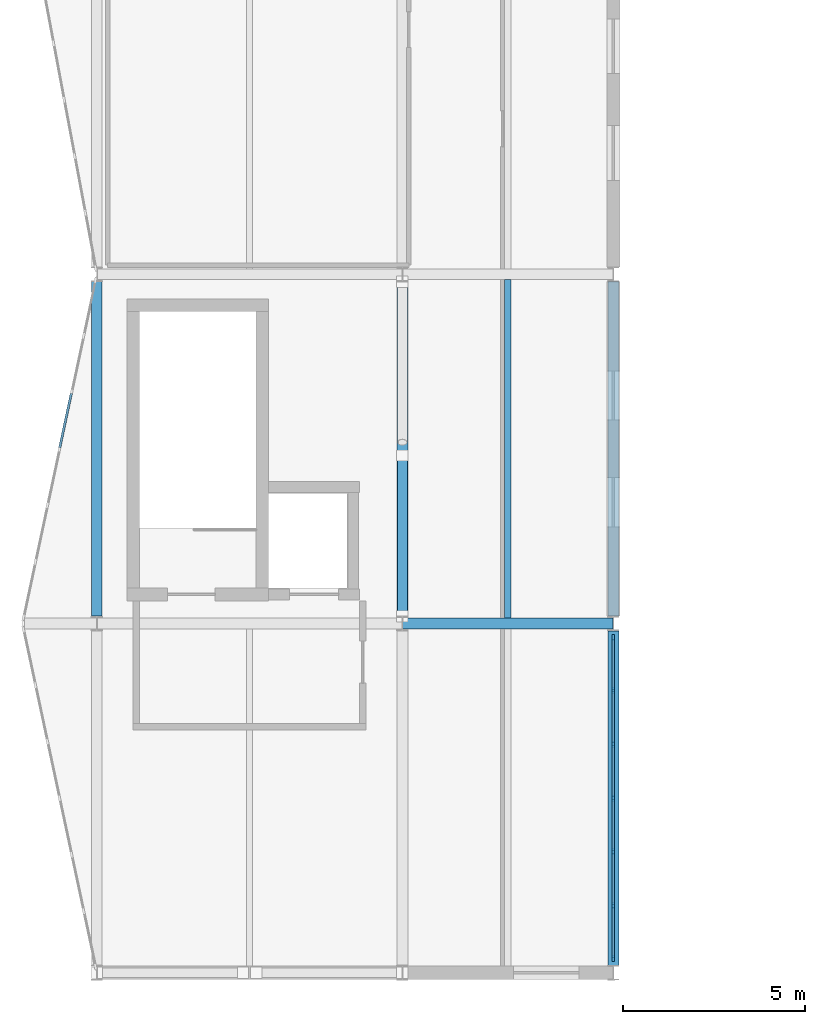
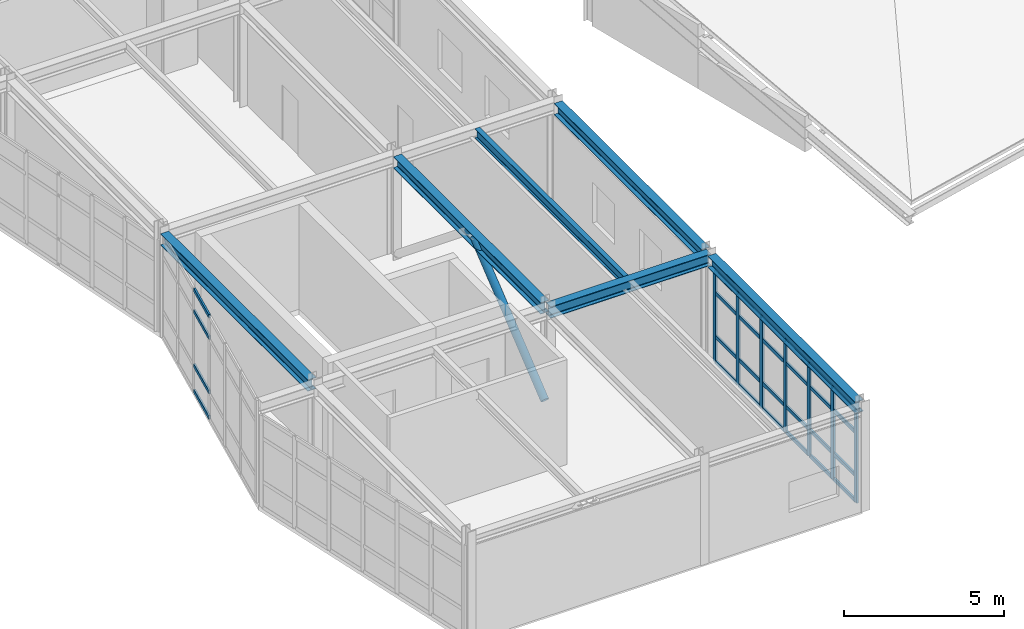
# One storey, part 7 of 47: 36 members, 6 beams, 2 elements without a shape of their own.
"""IFC4 building model written with IfcOpenShell, lengths in metres."""

from ifc_helpers import new_model, si_unit, direction, frame, origin, origin_2d, place, context, subcontext, project, spatial, rectangle, hollow_circle, i_section, extrude, material, layer, layer_set, material_profile, profile_set, type_object, element, aggregate, save


model = new_model("IFC4")

# Units and contexts
model_context = context("Model", 3, precision=1e-05, world=origin(), true_north=direction((0.0, 1.0)))
body_context = subcontext(model_context, "Body", "Model", "MODEL_VIEW")
ifc_project = project(units=[si_unit("LENGTHUNIT", "METRE"), si_unit("AREAUNIT", "SQUARE_METRE"), si_unit("VOLUMEUNIT", "CUBIC_METRE"), si_unit("PLANEANGLEUNIT", "RADIAN"), si_unit("MASSUNIT", "GRAM", prefix="KILO")], contexts=[model_context])

# Site, building, storey
site_placement = place(None, origin())
site = spatial("IfcSite", under=ifc_project, at=site_placement, CompositionType="ELEMENT")
building_placement = place(site_placement, origin())
building = spatial("IfcBuilding", under=site, at=building_placement, Name="Nordkorset Police Headquarters", CompositionType="ELEMENT")
storey_placement = place(building_placement, frame((0.0, 0.0, 22.050048828125)))
storey = spatial("IfcBuildingStorey", under=building, at=storey_placement, Name="L05", CompositionType="ELEMENT", Elevation=22.050048828125)

# Beam
ifc_material_1 = material(Name="Steel S355J2", Category="steel")
ifc_material_profile_1 = material_profile(ifc_material_1, i_section(OverallWidth=0.169921875, OverallDepth=0.360107421875, WebThickness=0.008056640625, FlangeThickness=0.0126953125, FilletRadius=0.01806640625, at=origin_2d()), Name="IPE 360")
ifc_profile_set_1 = profile_set([ifc_material_profile_1], Name="Steel S355J2")
beam_type_1 = type_object("IfcBeamType", Name="Beam_IPE_360", PredefinedType="BEAM", material=ifc_profile_set_1)
beam_1_placement = place(storey_placement, frame((11.300048828125, 38.550048828125, 3.784912109375), z_axis=(0.0, 1.0, 0.0), x_axis=(-1.0, 0.0, 0.0)))
element("IfcBeam", 1, at=beam_1_placement, inside=storey, type_object=beam_type_1, Name="Composite Floor Beam V3 L05 1-1-1", PredefinedType="BEAM", context=body_context, shape_type="SweptSolid", body=[
    extrude(i_section(OverallWidth=0.169921875, OverallDepth=0.360107421875, WebThickness=0.008056640625, FlangeThickness=0.0126953125, FilletRadius=0.01806640625, at=origin_2d()), origin(), (0.0, 0.0, 1.0), 9.300048828125),
])

# Member
ifc_material_2 = material(Name="Steel S355J2", Category="steel")
ifc_material_profile_2 = material_profile(ifc_material_2, hollow_circle(Radius=0.136474609375, WallThickness=0.012451171875, at=origin_2d()), Name="CHS 273x12.5")
ifc_profile_set_2 = profile_set([ifc_material_profile_2], Name="Steel S355J2")
member_type_1 = type_object("IfcMemberType", Name="Brace_CHS_273x12.5", PredefinedType="BRACE", material=ifc_profile_set_2)
member_1_placement = place(storey_placement, frame((8.39990234375, 38.60009765625, 0.199951171875), z_axis=(0.0, 0.77706891688, 0.629415521273), x_axis=(-1.0, 0.0, 0.0)))
element("IfcMember", 2, at=member_1_placement, inside=storey, type_object=member_type_1, Name="Lateral Chevron Brace BF-V3-A L05 D1", PredefinedType="BRACE", context=body_context, shape_type="SweptSolid", body=[
    extrude(hollow_circle(Radius=0.136474609375, WallThickness=0.012451171875, at=origin_2d()), origin(), (0.0, 0.0, 1.0), 5.68798828125),
])

# Curtain wall, members
ifc_material_3 = material(Name="Aluminium alloy AW-6060", Category="aluminium")
ifc_layer_1 = layer(ifc_material_3, 0.179931640625, Name="Aluminium alloy AW-6060")
ifc_layer_set_1 = layer_set([ifc_layer_1], Name="Aluminium alloy AW-6060")
curtain_wall_type_1 = type_object("IfcCurtainWallType", Name="CW_Unit_888x350", PredefinedType="USERDEFINED", material=ifc_layer_set_1)
curtain_wall_1_placement = place(storey_placement, origin())
curtain_wall_1 = element("IfcCurtainWall", 3, at=curtain_wall_1_placement, inside=storey, type_object=curtain_wall_type_1, Name="Unitised Curtain Wall L05 V3E-0", ObjectType="UNITISED CURTAIN WALL", PredefinedType="USERDEFINED")
ifc_material_4 = material(Name="Aluminium alloy AW-6060", Category="aluminium")
ifc_material_profile_3 = material_profile(ifc_material_4, rectangle(XDim=0.06494140625, YDim=0.179931640625, at=origin_2d()), Name="ALU MULL 65x180")
ifc_profile_set_3 = profile_set([ifc_material_profile_3], Name="Aluminium alloy AW-6060")
member_type_2 = type_object("IfcMemberType", Name="CW_Mullion_65x180", PredefinedType="MULLION", material=ifc_profile_set_3)
member_2_placement = place(storey_placement, frame((14.199951171875, 29.1923828125, 0.0), z_axis=(0.0, 0.0, 1.0), x_axis=(-1.0, 0.0, 0.0)))
member_2 = element("IfcMember", 4, at=member_2_placement, type_object=member_type_2, Name="CW-95 mullion 1", PredefinedType="MULLION", context=body_context, shape_type="SweptSolid", body=[
    extrude(rectangle(XDim=0.06494140625, YDim=0.179931640625, at=origin_2d()), origin(), (0.0, 0.0, 1.0), 3.5048828125),
])
member_3_placement = place(storey_placement, frame((14.199951171875, 30.639892578125, 0.0), z_axis=(0.0, 0.0, 1.0), x_axis=(-1.0, 0.0, 0.0)))
member_3 = element("IfcMember", 5, at=member_3_placement, type_object=member_type_2, Name="CW-95 mullion 2", PredefinedType="MULLION", context=body_context, shape_type="SweptSolid", body=[
    extrude(rectangle(XDim=0.06494140625, YDim=0.179931640625, at=origin_2d()), origin(), (0.0, 0.0, 1.0), 3.5048828125),
])
member_4_placement = place(storey_placement, frame((14.199951171875, 32.1201171875, 0.0), z_axis=(0.0, 0.0, 1.0), x_axis=(-1.0, 0.0, 0.0)))
member_4 = element("IfcMember", 6, at=member_4_placement, type_object=member_type_2, Name="CW-95 mullion 3", PredefinedType="MULLION", context=body_context, shape_type="SweptSolid", body=[
    extrude(rectangle(XDim=0.06494140625, YDim=0.179931640625, at=origin_2d()), origin(), (0.0, 0.0, 1.0), 3.5048828125),
])
member_5_placement = place(storey_placement, frame((14.199951171875, 33.60009765625, 0.0), z_axis=(0.0, 0.0, 1.0), x_axis=(-1.0, 0.0, 0.0)))
member_5 = element("IfcMember", 7, at=member_5_placement, type_object=member_type_2, Name="CW-95 mullion 4", PredefinedType="MULLION", context=body_context, shape_type="SweptSolid", body=[
    extrude(rectangle(XDim=0.06494140625, YDim=0.179931640625, at=origin_2d()), origin(), (0.0, 0.0, 1.0), 3.5048828125),
])
member_6_placement = place(storey_placement, frame((14.199951171875, 35.080078125, 0.0), z_axis=(0.0, 0.0, 1.0), x_axis=(-1.0, 0.0, 0.0)))
member_6 = element("IfcMember", 8, at=member_6_placement, type_object=member_type_2, Name="CW-95 mullion 5", PredefinedType="MULLION", context=body_context, shape_type="SweptSolid", body=[
    extrude(rectangle(XDim=0.06494140625, YDim=0.179931640625, at=origin_2d()), origin(), (0.0, 0.0, 1.0), 3.5048828125),
])
member_7_placement = place(storey_placement, frame((14.199951171875, 36.56005859375, 0.0), z_axis=(0.0, 0.0, 1.0), x_axis=(-1.0, 0.0, 0.0)))
member_7 = element("IfcMember", 9, at=member_7_placement, type_object=member_type_2, Name="CW-95 mullion 6", PredefinedType="MULLION", context=body_context, shape_type="SweptSolid", body=[
    extrude(rectangle(XDim=0.06494140625, YDim=0.179931640625, at=origin_2d()), origin(), (0.0, 0.0, 1.0), 3.5048828125),
])
member_8_placement = place(storey_placement, frame((14.199951171875, 38.007568359375, 0.0), z_axis=(0.0, 0.0, 1.0), x_axis=(-1.0, 0.0, 0.0)))
member_8 = element("IfcMember", 10, at=member_8_placement, type_object=member_type_2, Name="CW-95 mullion 7", PredefinedType="MULLION", context=body_context, shape_type="SweptSolid", body=[
    extrude(rectangle(XDim=0.06494140625, YDim=0.179931640625, at=origin_2d()), origin(), (0.0, 0.0, 1.0), 3.5048828125),
])
ifc_material_5 = material(Name="Aluminium alloy AW-6060", Category="aluminium")
ifc_material_profile_4 = material_profile(ifc_material_5, rectangle(XDim=0.06494140625, YDim=0.139892578125, at=origin_2d()), Name="ALU TRAN 65x140")
ifc_profile_set_4 = profile_set([ifc_material_profile_4], Name="Aluminium alloy AW-6060")
member_type_3 = type_object("IfcMemberType", Name="CW_Transom_65x140", PredefinedType="USERDEFINED", material=ifc_profile_set_4)
member_9_placement = place(storey_placement, frame((14.199951171875, 29.22509765625, 0.032470703125), z_axis=(0.0, 1.0, 0.0), x_axis=(-1.0, 0.0, 0.0)))
member_9 = element("IfcMember", 11, at=member_9_placement, type_object=member_type_3, Name="CW-95 transom 1.1", ObjectType="TRANSOM", PredefinedType="USERDEFINED", context=body_context, shape_type="SweptSolid", body=[
    extrude(rectangle(XDim=0.06494140625, YDim=0.139892578125, at=origin_2d()), origin(), (0.0, 0.0, 1.0), 1.38232421875),
])
member_10_placement = place(storey_placement, frame((14.199951171875, 29.22509765625, 1.0), z_axis=(0.0, 1.0, 0.0), x_axis=(-1.0, 0.0, 0.0)))
member_10 = element("IfcMember", 12, at=member_10_placement, type_object=member_type_3, Name="CW-95 transom 1.2", ObjectType="TRANSOM", PredefinedType="USERDEFINED", context=body_context, shape_type="SweptSolid", body=[
    extrude(rectangle(XDim=0.06494140625, YDim=0.139892578125, at=origin_2d()), origin(), (0.0, 0.0, 1.0), 1.38232421875),
])
member_11_placement = place(storey_placement, frame((14.199951171875, 29.22509765625, 2.655029296875), z_axis=(0.0, 1.0, 0.0), x_axis=(-1.0, 0.0, 0.0)))
member_11 = element("IfcMember", 13, at=member_11_placement, type_object=member_type_3, Name="CW-95 transom 1.3", ObjectType="TRANSOM", PredefinedType="USERDEFINED", context=body_context, shape_type="SweptSolid", body=[
    extrude(rectangle(XDim=0.06494140625, YDim=0.139892578125, at=origin_2d()), origin(), (0.0, 0.0, 1.0), 1.38232421875),
])
member_12_placement = place(storey_placement, frame((14.199951171875, 29.22509765625, 3.472412109375), z_axis=(0.0, 1.0, 0.0), x_axis=(-1.0, 0.0, 0.0)))
member_12 = element("IfcMember", 14, at=member_12_placement, type_object=member_type_3, Name="CW-95 transom 1.4", ObjectType="TRANSOM", PredefinedType="USERDEFINED", context=body_context, shape_type="SweptSolid", body=[
    extrude(rectangle(XDim=0.06494140625, YDim=0.139892578125, at=origin_2d()), origin(), (0.0, 0.0, 1.0), 1.38232421875),
])
member_13_placement = place(storey_placement, frame((14.199951171875, 30.672607421875, 0.032470703125), z_axis=(0.0, 1.0, 0.0), x_axis=(-1.0, 0.0, 0.0)))
member_13 = element("IfcMember", 15, at=member_13_placement, type_object=member_type_3, Name="CW-95 transom 2.1", ObjectType="TRANSOM", PredefinedType="USERDEFINED", context=body_context, shape_type="SweptSolid", body=[
    extrude(rectangle(XDim=0.06494140625, YDim=0.139892578125, at=origin_2d()), origin(), (0.0, 0.0, 1.0), 1.414794921875),
])
member_14_placement = place(storey_placement, frame((14.199951171875, 30.672607421875, 1.0), z_axis=(0.0, 1.0, 0.0), x_axis=(-1.0, 0.0, 0.0)))
member_14 = element("IfcMember", 16, at=member_14_placement, type_object=member_type_3, Name="CW-95 transom 2.2", ObjectType="TRANSOM", PredefinedType="USERDEFINED", context=body_context, shape_type="SweptSolid", body=[
    extrude(rectangle(XDim=0.06494140625, YDim=0.139892578125, at=origin_2d()), origin(), (0.0, 0.0, 1.0), 1.414794921875),
])
member_15_placement = place(storey_placement, frame((14.199951171875, 30.672607421875, 2.655029296875), z_axis=(0.0, 1.0, 0.0), x_axis=(-1.0, 0.0, 0.0)))
member_15 = element("IfcMember", 17, at=member_15_placement, type_object=member_type_3, Name="CW-95 transom 2.3", ObjectType="TRANSOM", PredefinedType="USERDEFINED", context=body_context, shape_type="SweptSolid", body=[
    extrude(rectangle(XDim=0.06494140625, YDim=0.139892578125, at=origin_2d()), origin(), (0.0, 0.0, 1.0), 1.414794921875),
])
member_16_placement = place(storey_placement, frame((14.199951171875, 30.672607421875, 3.472412109375), z_axis=(0.0, 1.0, 0.0), x_axis=(-1.0, 0.0, 0.0)))
member_16 = element("IfcMember", 18, at=member_16_placement, type_object=member_type_3, Name="CW-95 transom 2.4", ObjectType="TRANSOM", PredefinedType="USERDEFINED", context=body_context, shape_type="SweptSolid", body=[
    extrude(rectangle(XDim=0.06494140625, YDim=0.139892578125, at=origin_2d()), origin(), (0.0, 0.0, 1.0), 1.414794921875),
])
member_17_placement = place(storey_placement, frame((14.199951171875, 32.152587890625, 0.032470703125), z_axis=(0.0, 1.0, 0.0), x_axis=(-1.0, 0.0, 0.0)))
member_17 = element("IfcMember", 19, at=member_17_placement, type_object=member_type_3, Name="CW-95 transom 3.1", ObjectType="TRANSOM", PredefinedType="USERDEFINED", context=body_context, shape_type="SweptSolid", body=[
    extrude(rectangle(XDim=0.06494140625, YDim=0.139892578125, at=origin_2d()), origin(), (0.0, 0.0, 1.0), 1.414794921875),
])
member_18_placement = place(storey_placement, frame((14.199951171875, 32.152587890625, 1.0), z_axis=(0.0, 1.0, 0.0), x_axis=(-1.0, 0.0, 0.0)))
member_18 = element("IfcMember", 20, at=member_18_placement, type_object=member_type_3, Name="CW-95 transom 3.2", ObjectType="TRANSOM", PredefinedType="USERDEFINED", context=body_context, shape_type="SweptSolid", body=[
    extrude(rectangle(XDim=0.06494140625, YDim=0.139892578125, at=origin_2d()), origin(), (0.0, 0.0, 1.0), 1.414794921875),
])
member_19_placement = place(storey_placement, frame((14.199951171875, 32.152587890625, 2.655029296875), z_axis=(0.0, 1.0, 0.0), x_axis=(-1.0, 0.0, 0.0)))
member_19 = element("IfcMember", 21, at=member_19_placement, type_object=member_type_3, Name="CW-95 transom 3.3", ObjectType="TRANSOM", PredefinedType="USERDEFINED", context=body_context, shape_type="SweptSolid", body=[
    extrude(rectangle(XDim=0.06494140625, YDim=0.139892578125, at=origin_2d()), origin(), (0.0, 0.0, 1.0), 1.414794921875),
])
member_20_placement = place(storey_placement, frame((14.199951171875, 32.152587890625, 3.472412109375), z_axis=(0.0, 1.0, 0.0), x_axis=(-1.0, 0.0, 0.0)))
member_20 = element("IfcMember", 22, at=member_20_placement, type_object=member_type_3, Name="CW-95 transom 3.4", ObjectType="TRANSOM", PredefinedType="USERDEFINED", context=body_context, shape_type="SweptSolid", body=[
    extrude(rectangle(XDim=0.06494140625, YDim=0.139892578125, at=origin_2d()), origin(), (0.0, 0.0, 1.0), 1.414794921875),
])
member_21_placement = place(storey_placement, frame((14.199951171875, 33.632568359375, 0.032470703125), z_axis=(0.0, 1.0, 0.0), x_axis=(-1.0, 0.0, 0.0)))
member_21 = element("IfcMember", 23, at=member_21_placement, type_object=member_type_3, Name="CW-95 transom 4.1", ObjectType="TRANSOM", PredefinedType="USERDEFINED", context=body_context, shape_type="SweptSolid", body=[
    extrude(rectangle(XDim=0.06494140625, YDim=0.139892578125, at=origin_2d()), origin(), (0.0, 0.0, 1.0), 1.4150390625),
])
member_22_placement = place(storey_placement, frame((14.199951171875, 33.632568359375, 1.0), z_axis=(0.0, 1.0, 0.0), x_axis=(-1.0, 0.0, 0.0)))
member_22 = element("IfcMember", 24, at=member_22_placement, type_object=member_type_3, Name="CW-95 transom 4.2", ObjectType="TRANSOM", PredefinedType="USERDEFINED", context=body_context, shape_type="SweptSolid", body=[
    extrude(rectangle(XDim=0.06494140625, YDim=0.139892578125, at=origin_2d()), origin(), (0.0, 0.0, 1.0), 1.4150390625),
])
member_23_placement = place(storey_placement, frame((14.199951171875, 33.632568359375, 2.655029296875), z_axis=(0.0, 1.0, 0.0), x_axis=(-1.0, 0.0, 0.0)))
member_23 = element("IfcMember", 25, at=member_23_placement, type_object=member_type_3, Name="CW-95 transom 4.3", ObjectType="TRANSOM", PredefinedType="USERDEFINED", context=body_context, shape_type="SweptSolid", body=[
    extrude(rectangle(XDim=0.06494140625, YDim=0.139892578125, at=origin_2d()), origin(), (0.0, 0.0, 1.0), 1.4150390625),
])
member_24_placement = place(storey_placement, frame((14.199951171875, 33.632568359375, 3.472412109375), z_axis=(0.0, 1.0, 0.0), x_axis=(-1.0, 0.0, 0.0)))
member_24 = element("IfcMember", 26, at=member_24_placement, type_object=member_type_3, Name="CW-95 transom 4.4", ObjectType="TRANSOM", PredefinedType="USERDEFINED", context=body_context, shape_type="SweptSolid", body=[
    extrude(rectangle(XDim=0.06494140625, YDim=0.139892578125, at=origin_2d()), origin(), (0.0, 0.0, 1.0), 1.4150390625),
])
member_25_placement = place(storey_placement, frame((14.199951171875, 35.112548828125, 0.032470703125), z_axis=(0.0, 1.0, 0.0), x_axis=(-1.0, 0.0, 0.0)))
member_25 = element("IfcMember", 27, at=member_25_placement, type_object=member_type_3, Name="CW-95 transom 5.1", ObjectType="TRANSOM", PredefinedType="USERDEFINED", context=body_context, shape_type="SweptSolid", body=[
    extrude(rectangle(XDim=0.06494140625, YDim=0.139892578125, at=origin_2d()), origin(), (0.0, 0.0, 1.0), 1.4150390625),
])
member_26_placement = place(storey_placement, frame((14.199951171875, 35.112548828125, 1.0), z_axis=(0.0, 1.0, 0.0), x_axis=(-1.0, 0.0, 0.0)))
member_26 = element("IfcMember", 28, at=member_26_placement, type_object=member_type_3, Name="CW-95 transom 5.2", ObjectType="TRANSOM", PredefinedType="USERDEFINED", context=body_context, shape_type="SweptSolid", body=[
    extrude(rectangle(XDim=0.06494140625, YDim=0.139892578125, at=origin_2d()), origin(), (0.0, 0.0, 1.0), 1.4150390625),
])
member_27_placement = place(storey_placement, frame((14.199951171875, 35.112548828125, 2.655029296875), z_axis=(0.0, 1.0, 0.0), x_axis=(-1.0, 0.0, 0.0)))
member_27 = element("IfcMember", 29, at=member_27_placement, type_object=member_type_3, Name="CW-95 transom 5.3", ObjectType="TRANSOM", PredefinedType="USERDEFINED", context=body_context, shape_type="SweptSolid", body=[
    extrude(rectangle(XDim=0.06494140625, YDim=0.139892578125, at=origin_2d()), origin(), (0.0, 0.0, 1.0), 1.4150390625),
])
member_28_placement = place(storey_placement, frame((14.199951171875, 35.112548828125, 3.472412109375), z_axis=(0.0, 1.0, 0.0), x_axis=(-1.0, 0.0, 0.0)))
member_28 = element("IfcMember", 30, at=member_28_placement, type_object=member_type_3, Name="CW-95 transom 5.4", ObjectType="TRANSOM", PredefinedType="USERDEFINED", context=body_context, shape_type="SweptSolid", body=[
    extrude(rectangle(XDim=0.06494140625, YDim=0.139892578125, at=origin_2d()), origin(), (0.0, 0.0, 1.0), 1.4150390625),
])
member_29_placement = place(storey_placement, frame((14.199951171875, 36.592529296875, 0.032470703125), z_axis=(0.0, 1.0, 0.0), x_axis=(-1.0, 0.0, 0.0)))
member_29 = element("IfcMember", 31, at=member_29_placement, type_object=member_type_3, Name="CW-95 transom 6.1", ObjectType="TRANSOM", PredefinedType="USERDEFINED", context=body_context, shape_type="SweptSolid", body=[
    extrude(rectangle(XDim=0.06494140625, YDim=0.139892578125, at=origin_2d()), origin(), (0.0, 0.0, 1.0), 1.382568359375),
])
member_30_placement = place(storey_placement, frame((14.199951171875, 36.592529296875, 1.0), z_axis=(0.0, 1.0, 0.0), x_axis=(-1.0, 0.0, 0.0)))
member_30 = element("IfcMember", 32, at=member_30_placement, type_object=member_type_3, Name="CW-95 transom 6.2", ObjectType="TRANSOM", PredefinedType="USERDEFINED", context=body_context, shape_type="SweptSolid", body=[
    extrude(rectangle(XDim=0.06494140625, YDim=0.139892578125, at=origin_2d()), origin(), (0.0, 0.0, 1.0), 1.382568359375),
])
member_31_placement = place(storey_placement, frame((14.199951171875, 36.592529296875, 2.655029296875), z_axis=(0.0, 1.0, 0.0), x_axis=(-1.0, 0.0, 0.0)))
member_31 = element("IfcMember", 33, at=member_31_placement, type_object=member_type_3, Name="CW-95 transom 6.3", ObjectType="TRANSOM", PredefinedType="USERDEFINED", context=body_context, shape_type="SweptSolid", body=[
    extrude(rectangle(XDim=0.06494140625, YDim=0.139892578125, at=origin_2d()), origin(), (0.0, 0.0, 1.0), 1.382568359375),
])
member_32_placement = place(storey_placement, frame((14.199951171875, 36.592529296875, 3.472412109375), z_axis=(0.0, 1.0, 0.0), x_axis=(-1.0, 0.0, 0.0)))
member_32 = element("IfcMember", 34, at=member_32_placement, type_object=member_type_3, Name="CW-95 transom 6.4", ObjectType="TRANSOM", PredefinedType="USERDEFINED", context=body_context, shape_type="SweptSolid", body=[
    extrude(rectangle(XDim=0.06494140625, YDim=0.139892578125, at=origin_2d()), origin(), (0.0, 0.0, 1.0), 1.382568359375),
])
aggregate(curtain_wall_1, [member_2, member_3, member_4, member_5, member_6, member_7, member_8, member_9, member_10, member_11, member_12, member_13, member_14, member_15, member_16, member_17, member_18, member_19, member_20, member_21, member_22, member_23, member_24, member_25, member_26, member_27, member_28, member_29, member_30, member_31, member_32])

ifc_material_6 = material(Name="Aluminium alloy AW-6060", Category="aluminium")
ifc_layer_2 = layer(ifc_material_6, 0.179931640625, Name="Aluminium alloy AW-6060")
ifc_layer_set_2 = layer_set([ifc_layer_2], Name="Aluminium alloy AW-6060")
curtain_wall_type_2 = type_object("IfcCurtainWallType", Name="CW_Unit_954x392", PredefinedType="USERDEFINED", material=ifc_layer_set_2)
curtain_wall_2_placement = place(storey_placement, origin())
curtain_wall_2 = element("IfcCurtainWall", 35, at=curtain_wall_2_placement, inside=storey, type_object=curtain_wall_type_2, Name="Unitised Curtain Wall L05 V3W-1", ObjectType="UNITISED CURTAIN WALL", PredefinedType="USERDEFINED")
member_33_placement = place(storey_placement, frame((-1.018310546875, 43.231689453125, 0.032470703125), z_axis=(0.208818182896, 0.977954480787, 0.0), x_axis=(-0.977954480787, 0.208818182896, 0.0)))
member_33 = element("IfcMember", 36, at=member_33_placement, type_object=member_type_3, Name="CW-20 transom 4.1", ObjectType="TRANSOM", PredefinedType="USERDEFINED", context=body_context, shape_type="SweptSolid", body=[
    extrude(rectangle(XDim=0.06494140625, YDim=0.139892578125, at=origin_2d()), origin(), (0.0, 0.0, 1.0), 1.524658203125),
])
member_34_placement = place(storey_placement, frame((-1.018310546875, 43.231689453125, 1.0), z_axis=(0.208818182896, 0.977954480787, 0.0), x_axis=(-0.977954480787, 0.208818182896, 0.0)))
member_34 = element("IfcMember", 37, at=member_34_placement, type_object=member_type_3, Name="CW-20 transom 4.2", ObjectType="TRANSOM", PredefinedType="USERDEFINED", context=body_context, shape_type="SweptSolid", body=[
    extrude(rectangle(XDim=0.06494140625, YDim=0.139892578125, at=origin_2d()), origin(), (0.0, 0.0, 1.0), 1.524658203125),
])
member_35_placement = place(storey_placement, frame((-1.018310546875, 43.231689453125, 3.070068359375), z_axis=(0.208818182896, 0.977954480787, 0.0), x_axis=(-0.977954480787, 0.208818182896, 0.0)))
member_35 = element("IfcMember", 38, at=member_35_placement, type_object=member_type_3, Name="CW-20 transom 4.3", ObjectType="TRANSOM", PredefinedType="USERDEFINED", context=body_context, shape_type="SweptSolid", body=[
    extrude(rectangle(XDim=0.06494140625, YDim=0.139892578125, at=origin_2d()), origin(), (0.0, 0.0, 1.0), 1.524658203125),
])
member_36_placement = place(storey_placement, frame((-1.018310546875, 43.231689453125, 3.887451171875), z_axis=(0.208818182896, 0.977954480787, 0.0), x_axis=(-0.977954480787, 0.208818182896, 0.0)))
member_36 = element("IfcMember", 39, at=member_36_placement, type_object=member_type_3, Name="CW-20 transom 4.4", ObjectType="TRANSOM", PredefinedType="USERDEFINED", context=body_context, shape_type="SweptSolid", body=[
    extrude(rectangle(XDim=0.06494140625, YDim=0.139892578125, at=origin_2d()), origin(), (0.0, 0.0, 1.0), 1.524658203125),
])
aggregate(curtain_wall_2, [member_33, member_34, member_35, member_36])

# Beams
ifc_material_7 = material(Name="Steel S355J2", Category="steel")
ifc_material_profile_5 = material_profile(ifc_material_7, i_section(OverallWidth=0.300048828125, OverallDepth=0.43994140625, WebThickness=0.011474609375, FlangeThickness=0.02099609375, FilletRadius=0.027099609375, at=origin_2d()), Name="HEA 450")
ifc_profile_set_5 = profile_set([ifc_material_profile_5], Name="Steel S355J2")
beam_type_2 = type_object("IfcBeamType", Name="Girder_HEA_450", PredefinedType="USERDEFINED", material=ifc_profile_set_5)
beam_2_placement = place(storey_placement, frame((8.40673828125, 38.39990234375, 3.744873046875), z_axis=(1.0, 0.0, 0.0), x_axis=(0.0, 1.0, 0.0)))
element("IfcBeam", 40, at=beam_2_placement, inside=storey, type_object=beam_type_2, Name="Girder V3 L05 GX-1-1", ObjectType="GIRDER", PredefinedType="USERDEFINED", context=body_context, shape_type="SweptSolid", body=[
    extrude(i_section(OverallWidth=0.300048828125, OverallDepth=0.43994140625, WebThickness=0.011474609375, FlangeThickness=0.02099609375, FilletRadius=0.027099609375, at=origin_2d()), origin(), (0.0, 0.0, 1.0), 5.78662109375),
])
for number, where, z_axis, x_axis, name in (
    (41, (0.0, 38.60009765625, 3.744873046875), (0.0, 1.0, 0.0), (-1.0, 0.0, 0.0), "Girder V3 L05 GY-0-1"),
    (42, (8.39990234375, 38.60009765625, 3.744873046875), (0.0, 1.0, 0.0), (-1.0, 0.0, 0.0), "Girder V3 L05 GY-1-1"),
    (43, (14.199951171875, 29.0, 3.744873046875), (0.0, 1.0, 0.0), (-1.0, 0.0, 0.0), "Girder V3 L05 GY-2-0"),
    (44, (14.199951171875, 38.60009765625, 3.744873046875), (0.0, 1.0, 0.0), (-1.0, 0.0, 0.0), "Girder V3 L05 GY-2-1"),
):
    element("IfcBeam", number, at=place(storey_placement, frame(where, z_axis=z_axis, x_axis=x_axis)), inside=storey, type_object=beam_type_2, Name=name, ObjectType="GIRDER", PredefinedType="USERDEFINED", context=body_context, shape_type="SweptSolid", body=[
        extrude(i_section(OverallWidth=0.300048828125, OverallDepth=0.43994140625, WebThickness=0.011474609375, FlangeThickness=0.02099609375, FilletRadius=0.027099609375, at=origin_2d()), origin(), (0.0, 0.0, 1.0), 9.199951171875),
    ])

save(model, "model.ifc")
